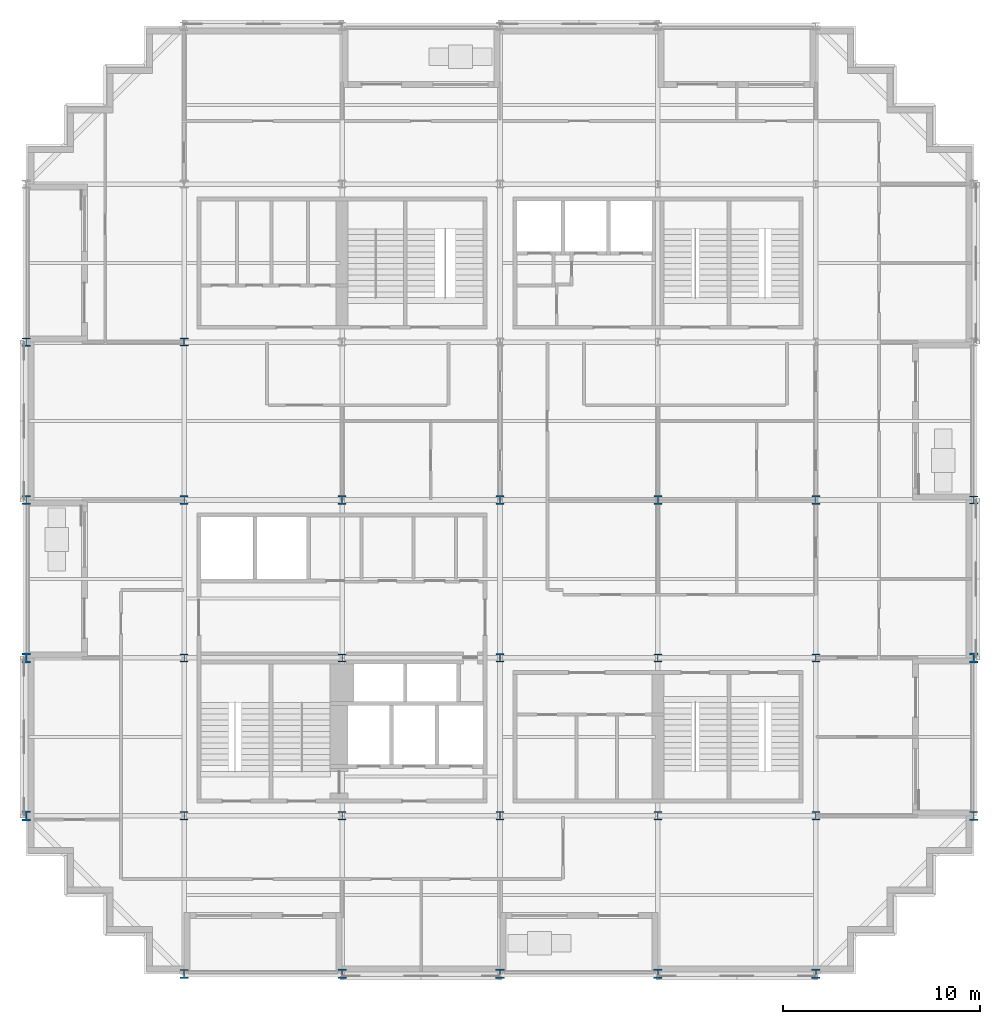
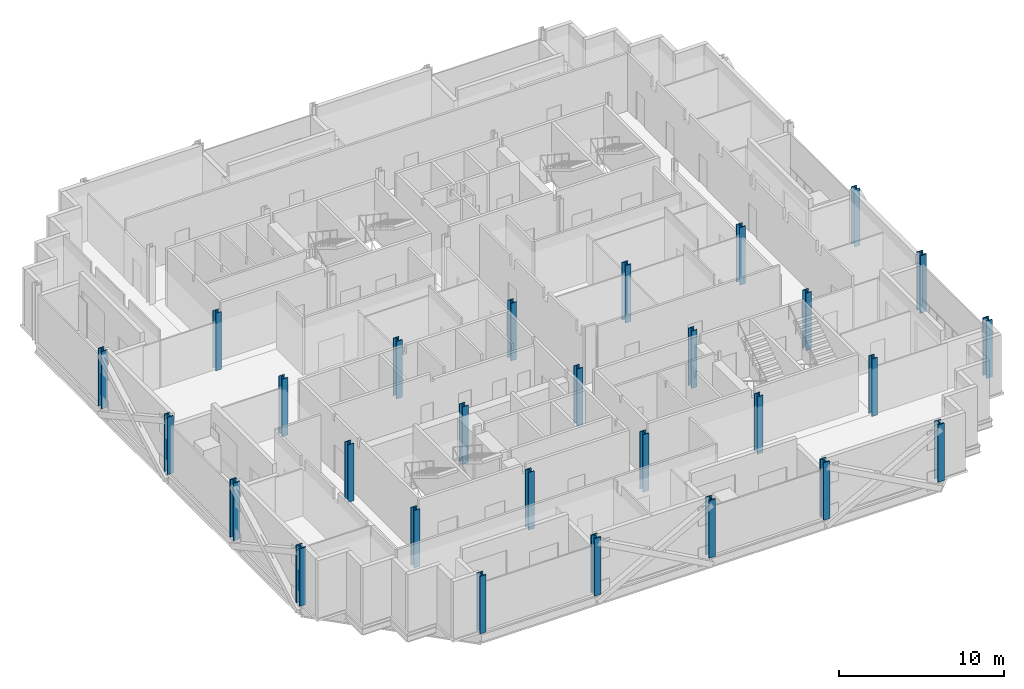
# One storey, part 1 of 15: 28 columns.
"""IFC4 building model written with IfcOpenShell, lengths in metres."""

from ifc_helpers import new_model, si_unit, direction, frame, origin, origin_2d, place, context, subcontext, project, spatial, i_section, extrude, material, material_profile, profile_set, type_object, element, save


model = new_model("IFC4")

# Units and contexts
model_context = context("Model", 3, precision=1e-05, world=origin(), true_north=direction((0.0, 1.0)))
body_context = subcontext(model_context, "Body", "Model", "MODEL_VIEW")
ifc_project = project(units=[si_unit("LENGTHUNIT", "METRE"), si_unit("AREAUNIT", "SQUARE_METRE"), si_unit("VOLUMEUNIT", "CUBIC_METRE"), si_unit("PLANEANGLEUNIT", "RADIAN"), si_unit("MASSUNIT", "GRAM", prefix="KILO")], contexts=[model_context])

# Site, building, storey
site_placement = place(None, origin())
site = spatial("IfcSite", under=ifc_project, at=site_placement, CompositionType="ELEMENT")
building_placement = place(site_placement, origin())
building = spatial("IfcBuilding", under=site, at=building_placement, Name="Immortelle Media Tower", CompositionType="ELEMENT")
storey_placement = place(building_placement, frame((0.0, 0.0, 92.0)))
storey = spatial("IfcBuildingStorey", under=building, at=storey_placement, Name="L17", CompositionType="ELEMENT", Elevation=92.0)

# Columns
ifc_material = material(Name="Steel ASTM A992 Gr 50", Category="steel")
ifc_material_profile_1 = material_profile(ifc_material, i_section(OverallWidth=0.39404296875, OverallDepth=0.3759765625, WebThickness=0.01708984375, FlangeThickness=0.028076171875, at=origin_2d()), Name="W14x145")
ifc_profile_set_1 = profile_set([ifc_material_profile_1], Name="Steel ASTM A992 Gr 50")
column_type_1 = type_object("IfcColumnType", Name="W14x145 column", PredefinedType="COLUMN", material=ifc_profile_set_1)
column_1_placement = place(storey_placement, frame((8.0, 32.0, 0.0), z_axis=(0.0, 0.0, 1.0), x_axis=(1.0, 0.0, 0.0)))
element("IfcColumn", 1, at=column_1_placement, inside=storey, type_object=column_type_1, Name="Column 2/E", PredefinedType="COLUMN", context=body_context, shape_type="SweptSolid", body=[
    extrude(i_section(OverallWidth=0.39404296875, OverallDepth=0.3759765625, WebThickness=0.01708984375, FlangeThickness=0.028076171875, at=origin_2d()), origin(), (0.0, 0.0, 1.0), 4.25),
])
ifc_material_profile_2 = material_profile(ifc_material, i_section(OverallWidth=0.39892578125, OverallDepth=0.385986328125, WebThickness=0.02099609375, FlangeThickness=0.032958984375, at=origin_2d()), Name="W14x176")
ifc_profile_set_2 = profile_set([ifc_material_profile_2], Name="Steel ASTM A992 Gr 50")
column_type_2 = type_object("IfcColumnType", Name="W14x176 column", PredefinedType="COLUMN", material=ifc_profile_set_2)
column_2_placement = place(storey_placement, frame((48.0, 24.0, 0.0), z_axis=(0.0, 0.0, 1.0), x_axis=(1.0, 0.0, 0.0)))
element("IfcColumn", 2, at=column_2_placement, inside=storey, type_object=column_type_2, Name="Column 7/D", PredefinedType="COLUMN", context=body_context, shape_type="SweptSolid", body=[
    extrude(i_section(OverallWidth=0.39892578125, OverallDepth=0.385986328125, WebThickness=0.02099609375, FlangeThickness=0.032958984375, at=origin_2d()), origin(), (0.0, 0.0, 1.0), 4.25),
])
ifc_material_profile_3 = material_profile(ifc_material, i_section(OverallWidth=0.406005859375, OverallDepth=0.4169921875, WebThickness=0.030029296875, FlangeThickness=0.048095703125, at=origin_2d()), Name="W14x257")
ifc_profile_set_3 = profile_set([ifc_material_profile_3], Name="Steel ASTM A992 Gr 50")
column_type_3 = type_object("IfcColumnType", Name="W14x257 column", PredefinedType="COLUMN", material=ifc_profile_set_3)
for number, where, z_axis, x_axis, name in (
    (3, (8.0, 8.0, 0.0), (0.0, 0.0, 1.0), (1.0, 0.0, 0.0), "Column 2/B"),
    (4, (8.0, 16.0, 0.0), (0.0, 0.0, 1.0), (1.0, 0.0, 0.0), "Column 2/C"),
    (5, (16.0, 8.0, 0.0), (0.0, 0.0, 1.0), (1.0, 0.0, 0.0), "Column 3/B"),
    (6, (16.0, 16.0, 0.0), (0.0, 0.0, 1.0), (1.0, 0.0, 0.0), "Column 3/C"),
    (7, (32.0, 8.0, 0.0), (0.0, 0.0, 1.0), (1.0, 0.0, 0.0), "Column 5/B"),
    (8, (32.0, 16.0, 0.0), (0.0, 0.0, 1.0), (1.0, 0.0, 0.0), "Column 5/C"),
    (9, (40.0, 8.0, 0.0), (0.0, 0.0, 1.0), (1.0, 0.0, 0.0), "Column 6/B"),
    (10, (40.0, 16.0, 0.0), (0.0, 0.0, 1.0), (1.0, 0.0, 0.0), "Column 6/C"),
):
    element("IfcColumn", number, at=place(storey_placement, frame(where, z_axis=z_axis, x_axis=x_axis)), inside=storey, type_object=column_type_3, Name=name, PredefinedType="COLUMN", context=body_context, shape_type="SweptSolid", body=[
        extrude(i_section(OverallWidth=0.406005859375, OverallDepth=0.4169921875, WebThickness=0.030029296875, FlangeThickness=0.048095703125, at=origin_2d()), origin(), (0.0, 0.0, 1.0), 4.25),
    ])
ifc_material_profile_4 = material_profile(ifc_material, i_section(OverallWidth=0.410888671875, OverallDepth=0.43408203125, WebThickness=0.035888671875, FlangeThickness=0.056884765625, at=origin_2d()), Name="W14x311")
ifc_profile_set_4 = profile_set([ifc_material_profile_4], Name="Steel ASTM A992 Gr 50")
column_type_4 = type_object("IfcColumnType", Name="W14x311 column", PredefinedType="COLUMN", material=ifc_profile_set_4)
for number, where, z_axis, x_axis, name in (
    (11, (0.0, 24.0, 0.0), (0.0, 0.0, 1.0), (1.0, 0.0, 0.0), "Column 1/D"),
    (12, (0.0, 32.0, 0.0), (0.0, 0.0, 1.0), (1.0, 0.0, 0.0), "Column 1/E"),
    (13, (8.0, 24.0, 0.0), (0.0, 0.0, 1.0), (1.0, 0.0, 0.0), "Column 2/D"),
    (14, (16.0, 24.0, 0.0), (0.0, 0.0, 1.0), (1.0, 0.0, 0.0), "Column 3/D"),
    (15, (24.0, 8.0, 0.0), (0.0, 0.0, 1.0), (1.0, 0.0, 0.0), "Column 4/B"),
    (16, (24.0, 16.0, 0.0), (0.0, 0.0, 1.0), (1.0, 0.0, 0.0), "Column 4/C"),
    (17, (24.0, 24.0, 0.0), (0.0, 0.0, 1.0), (1.0, 0.0, 0.0), "Column 4/D"),
    (18, (32.0, 24.0, 0.0), (0.0, 0.0, 1.0), (1.0, 0.0, 0.0), "Column 5/D"),
    (19, (40.0, 24.0, 0.0), (0.0, 0.0, 1.0), (1.0, 0.0, 0.0), "Column 6/D"),
):
    element("IfcColumn", number, at=place(storey_placement, frame(where, z_axis=z_axis, x_axis=x_axis)), inside=storey, type_object=column_type_4, Name=name, PredefinedType="COLUMN", context=body_context, shape_type="SweptSolid", body=[
        extrude(i_section(OverallWidth=0.410888671875, OverallDepth=0.43408203125, WebThickness=0.035888671875, FlangeThickness=0.056884765625, at=origin_2d()), origin(), (0.0, 0.0, 1.0), 4.25),
    ])
ifc_material_profile_5 = material_profile(ifc_material, i_section(OverallWidth=0.4189453125, OverallDepth=0.455078125, WebThickness=0.0419921875, FlangeThickness=0.068115234375, at=origin_2d()), Name="W14x370")
ifc_profile_set_5 = profile_set([ifc_material_profile_5], Name="Steel ASTM A992 Gr 50")
column_type_5 = type_object("IfcColumnType", Name="W14x370 column", PredefinedType="COLUMN", material=ifc_profile_set_5)
for number, where, z_axis, x_axis, name in (
    (20, (8.0, 0.0, 0.0), (0.0, 0.0, 1.0), (1.0, 0.0, 0.0), "Column 2/A"),
    (21, (48.0, 8.0, 0.0), (0.0, 0.0, 1.0), (1.0, 0.0, 0.0), "Column 7/B"),
):
    element("IfcColumn", number, at=place(storey_placement, frame(where, z_axis=z_axis, x_axis=x_axis)), inside=storey, type_object=column_type_5, Name=name, PredefinedType="COLUMN", context=body_context, shape_type="SweptSolid", body=[
        extrude(i_section(OverallWidth=0.4189453125, OverallDepth=0.455078125, WebThickness=0.0419921875, FlangeThickness=0.068115234375, at=origin_2d()), origin(), (0.0, 0.0, 1.0), 4.25),
    ])
ifc_material_profile_6 = material_profile(ifc_material, i_section(OverallWidth=0.431884765625, OverallDepth=0.498046875, WebThickness=0.055908203125, FlangeThickness=0.089111328125, at=origin_2d()), Name="W14x500")
ifc_profile_set_6 = profile_set([ifc_material_profile_6], Name="Steel ASTM A992 Gr 50")
column_type_6 = type_object("IfcColumnType", Name="W14x500 column", PredefinedType="COLUMN", material=ifc_profile_set_6)
for number, where, z_axis, x_axis, name in (
    (22, (0.0, 8.0, 0.0), (0.0, 0.0, 1.0), (1.0, 0.0, 0.0), "Column 1/B"),
    (23, (0.0, 16.0, 0.0), (0.0, 0.0, 1.0), (1.0, 0.0, 0.0), "Column 1/C"),
    (24, (16.0, 0.0, 0.0), (0.0, 0.0, 1.0), (1.0, 0.0, 0.0), "Column 3/A"),
    (25, (24.0, 0.0, 0.0), (0.0, 0.0, 1.0), (1.0, 0.0, 0.0), "Column 4/A"),
    (26, (32.0, 0.0, 0.0), (0.0, 0.0, 1.0), (1.0, 0.0, 0.0), "Column 5/A"),
    (27, (40.0, 0.0, 0.0), (0.0, 0.0, 1.0), (1.0, 0.0, 0.0), "Column 6/A"),
    (28, (48.0, 16.0, 0.0), (0.0, 0.0, 1.0), (1.0, 0.0, 0.0), "Column 7/C"),
):
    element("IfcColumn", number, at=place(storey_placement, frame(where, z_axis=z_axis, x_axis=x_axis)), inside=storey, type_object=column_type_6, Name=name, PredefinedType="COLUMN", context=body_context, shape_type="SweptSolid", body=[
        extrude(i_section(OverallWidth=0.431884765625, OverallDepth=0.498046875, WebThickness=0.055908203125, FlangeThickness=0.089111328125, at=origin_2d()), origin(), (0.0, 0.0, 1.0), 4.25),
    ])

save(model, "model.ifc")
